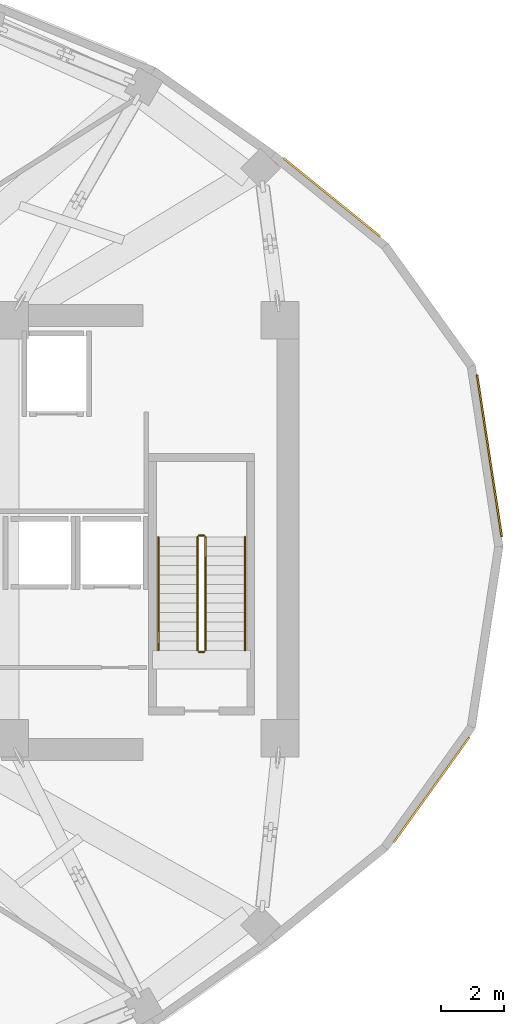
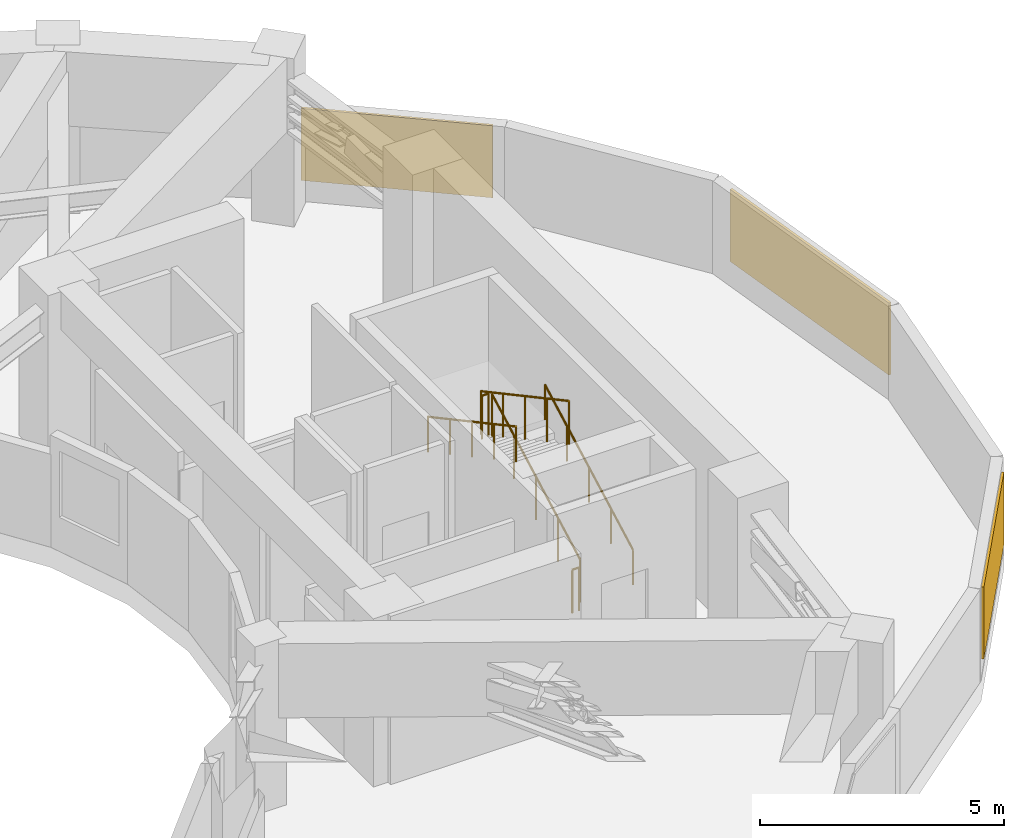
# One storey, part 9 of 10: 6 railings, 3 shading devices.
"""IFC4 building model written with IfcOpenShell, lengths in metres."""

from ifc_helpers import new_model, si_unit, direction, frame, origin, origin_2d, place, context, subcontext, project, spatial, rectangle, circle, extrude, material, layer, layer_set, type_object, element, save


model = new_model("IFC4")

# Units and contexts
model_context = context("Model", 3, precision=1e-05, world=origin(), true_north=direction((0.0, 1.0)))
body_context = subcontext(model_context, "Body", "Model", "MODEL_VIEW")
ifc_project = project(units=[si_unit("LENGTHUNIT", "METRE"), si_unit("AREAUNIT", "SQUARE_METRE"), si_unit("VOLUMEUNIT", "CUBIC_METRE"), si_unit("PLANEANGLEUNIT", "RADIAN"), si_unit("MASSUNIT", "GRAM", prefix="KILO")], contexts=[model_context])

# Site, building, storey
site_placement = place(None, origin())
site = spatial("IfcSite", under=ifc_project, at=site_placement, CompositionType="ELEMENT")
building_placement = place(site_placement, origin())
building = spatial("IfcBuilding", under=site, at=building_placement, Name="Solvane Sanctuary Tower", CompositionType="ELEMENT")
storey_placement = place(building_placement, frame((0.0, 0.0, 129.0)))
storey = spatial("IfcBuildingStorey", under=building, at=storey_placement, Name="L39", CompositionType="ELEMENT", Elevation=129.0)

# Railings
ifc_material_1 = material(Name="Architectural Stainless Steel 316", Category="steel")
railing_type_1 = type_object("IfcRailingType", Name="Railing GR-BALC-1150", PredefinedType="BALUSTRADE", material=ifc_material_1)
railing_1_placement = place(storey_placement, frame((46.340087890625, 19.699951171875, 0.16162109375)))
element("IfcRailing", 1, at=railing_1_placement, inside=storey, type_object=railing_type_1, Name="L39 ST-2 stair guard 1", PredefinedType="BALUSTRADE", context=body_context, shape_type="SweptSolid", body=[
    extrude(circle(Radius=0.02392578125, at=origin_2d()), frame((0.0, 0.0, 1.076171875), z_axis=(0.0, 0.880474934443, 0.474092701714), x_axis=(-1.0, 0.0, 0.0)), (0.0, 0.0, 1.0), 4.0888671875),
    extrude(circle(Radius=0.02099609375, at=origin_2d()), origin(), (0.0, 0.0, 1.0), 1.052001953125),
    extrude(circle(Radius=0.02099609375, at=origin_2d()), frame((0.0, 0.89990234375, 0.484619140625)), (0.0, 0.0, 1.0), 1.052001953125),
    extrude(circle(Radius=0.02099609375, at=origin_2d()), frame((0.0, 1.800048828125, 0.96923828125)), (0.0, 0.0, 1.0), 1.052001953125),
    extrude(circle(Radius=0.02099609375, at=origin_2d()), frame((0.0, 2.7001953125, 1.453857421875)), (0.0, 0.0, 1.0), 1.052001953125),
    extrude(circle(Radius=0.02099609375, at=origin_2d()), frame((0.0, 3.60009765625, 1.9384765625)), (0.0, 0.0, 1.0), 1.052001953125),
])
railing_2_placement = place(storey_placement, frame((46.2900390625, 23.35009765625, 2.10009765625)))
element("IfcRailing", 2, at=railing_2_placement, inside=storey, type_object=railing_type_1, Name="L39 ST-2 stair guard 2", PredefinedType="BALUSTRADE", context=body_context, shape_type="SweptSolid", body=[
    extrude(circle(Radius=0.02392578125, at=origin_2d()), frame((0.0, 0.0, 1.076171875), z_axis=(-1.0, 0.0, 0.0), x_axis=(0.0, -1.0, 0.0)), (0.0, 0.0, 1.0), 0.16015625),
    extrude(circle(Radius=0.02099609375, at=origin_2d()), origin(), (0.0, 0.0, 1.0), 1.052001953125),
    extrude(circle(Radius=0.02099609375, at=origin_2d()), frame((-0.16015625, 0.0, 0.0)), (0.0, 0.0, 1.0), 1.052001953125),
])
railing_3_placement = place(storey_placement, frame((46.080078125, 23.300048828125, 2.261474609375)))
element("IfcRailing", 3, at=railing_3_placement, inside=storey, type_object=railing_type_1, Name="L39 ST-2 stair guard 3", PredefinedType="BALUSTRADE", context=body_context, shape_type="SweptSolid", body=[
    extrude(circle(Radius=0.02392578125, at=origin_2d()), frame((0.0, 0.0, 1.076171875), z_axis=(0.0, -0.880474934443, 0.474092701714), x_axis=(1.0, 0.0, 0.0)), (0.0, 0.0, 1.0), 4.0888671875),
    extrude(circle(Radius=0.02099609375, at=origin_2d()), origin(), (0.0, 0.0, 1.0), 1.052001953125),
    extrude(circle(Radius=0.02099609375, at=origin_2d()), frame((0.0, -0.89990234375, 0.484619140625)), (0.0, 0.0, 1.0), 1.052001953125),
    extrude(circle(Radius=0.02099609375, at=origin_2d()), frame((0.0, -1.800048828125, 0.96923828125)), (0.0, 0.0, 1.0), 1.052001953125),
    extrude(circle(Radius=0.02099609375, at=origin_2d()), frame((0.0, -2.7001953125, 1.453857421875)), (0.0, 0.0, 1.0), 1.052001953125),
    extrude(circle(Radius=0.02099609375, at=origin_2d()), frame((0.0, -3.60009765625, 1.9384765625)), (0.0, 0.0, 1.0), 1.052001953125),
])
railing_4_placement = place(storey_placement, frame((46.2900390625, 19.64990234375, 0.0)))
element("IfcRailing", 4, at=railing_4_placement, inside=storey, type_object=railing_type_1, Name="L39 ST-2 stair guard 4", PredefinedType="BALUSTRADE", context=body_context, shape_type="SweptSolid", body=[
    extrude(circle(Radius=0.02392578125, at=origin_2d()), frame((0.0, 0.0, 1.076171875), z_axis=(-1.0, 0.0, 0.0), x_axis=(0.0, -1.0, 0.0)), (0.0, 0.0, 1.0), 0.16015625),
    extrude(circle(Radius=0.02099609375, at=origin_2d()), origin(), (0.0, 0.0, 1.0), 1.052001953125),
    extrude(circle(Radius=0.02099609375, at=origin_2d()), frame((-0.16015625, 0.0, 0.0)), (0.0, 0.0, 1.0), 1.052001953125),
])
railing_type_2 = type_object("IfcRailingType", Name="Railing HR-STAIR-920", PredefinedType="HANDRAIL", material=ifc_material_1)
railing_5_placement = place(storey_placement, frame((47.590087890625, 19.699951171875, 0.16162109375)))
element("IfcRailing", 5, at=railing_5_placement, inside=storey, type_object=railing_type_2, Name="L39 ST-2 stair handrail 1", PredefinedType="HANDRAIL", context=body_context, shape_type="SweptSolid", body=[
    extrude(circle(Radius=0.02392578125, at=origin_2d()), frame((0.0, 0.0, 0.8759765625), z_axis=(0.0, 0.880474934443, 0.474092701714), x_axis=(-1.0, 0.0, 0.0)), (0.0, 0.0, 1.0), 4.0888671875),
    extrude(circle(Radius=0.02099609375, at=origin_2d()), origin(), (0.0, 0.0, 1.0), 0.851806640625),
    extrude(circle(Radius=0.02099609375, at=origin_2d()), frame((0.0, 0.89990234375, 0.484619140625)), (0.0, 0.0, 1.0), 0.851806640625),
    extrude(circle(Radius=0.02099609375, at=origin_2d()), frame((0.0, 1.800048828125, 0.96923828125)), (0.0, 0.0, 1.0), 0.851806640625),
    extrude(circle(Radius=0.02099609375, at=origin_2d()), frame((0.0, 2.7001953125, 1.453857421875)), (0.0, 0.0, 1.0), 0.851806640625),
    extrude(circle(Radius=0.02099609375, at=origin_2d()), frame((0.0, 3.60009765625, 1.9384765625)), (0.0, 0.0, 1.0), 0.851806640625),
])
railing_6_placement = place(storey_placement, frame((44.830078125, 23.300048828125, 2.261474609375)))
element("IfcRailing", 6, at=railing_6_placement, inside=storey, type_object=railing_type_2, Name="L39 ST-2 stair handrail 2", PredefinedType="HANDRAIL", context=body_context, shape_type="SweptSolid", body=[
    extrude(circle(Radius=0.02392578125, at=origin_2d()), frame((0.0, 0.0, 0.8759765625), z_axis=(0.0, -0.880474934443, 0.474092701714), x_axis=(1.0, 0.0, 0.0)), (0.0, 0.0, 1.0), 4.0888671875),
    extrude(circle(Radius=0.02099609375, at=origin_2d()), origin(), (0.0, 0.0, 1.0), 0.851806640625),
    extrude(circle(Radius=0.02099609375, at=origin_2d()), frame((0.0, -0.89990234375, 0.484619140625)), (0.0, 0.0, 1.0), 0.851806640625),
    extrude(circle(Radius=0.02099609375, at=origin_2d()), frame((0.0, -1.800048828125, 0.96923828125)), (0.0, 0.0, 1.0), 0.851806640625),
    extrude(circle(Radius=0.02099609375, at=origin_2d()), frame((0.0, -2.7001953125, 1.453857421875)), (0.0, 0.0, 1.0), 0.851806640625),
    extrude(circle(Radius=0.02099609375, at=origin_2d()), frame((0.0, -3.60009765625, 1.9384765625)), (0.0, 0.0, 1.0), 0.851806640625),
])

# Shading devices
ifc_material_2 = material(Name="Anodised Aluminium 6063-T6", Category="aluminium")
ifc_layer = layer(ifc_material_2, 0.06005859375, Name="Anodised Aluminium 6063-T6")
ifc_layer_set = layer_set([ifc_layer], Name="Anodised Aluminium 6063-T6")
shading_device_type = type_object("IfcShadingDeviceType", Name="Shading SHD-LOUVRE", PredefinedType="JALOUSIE", material=ifc_layer_set)
shading_device_1_placement = place(storey_placement, frame((55.361083984375, 25.89111328125, 0.35009765625), z_axis=(0.0, 0.0, 1.0), x_axis=(-0.150686287383, 0.988581631832, 0.0)))
element("IfcShadingDevice", 7, at=shading_device_1_placement, inside=storey, type_object=shading_device_type, Name="L39 Plant Intake Louvre 00", PredefinedType="JALOUSIE", context=body_context, shape_type="SweptSolid", body=[
    extrude(rectangle(XDim=5.2060546875, YDim=0.06005859375, at=origin_2d()), origin(), (0.0, 0.0, 1.0), 1.800048828125),
])
shading_device_2_placement = place(storey_placement, frame((50.3466796875, 34.114501953125, 0.35009765625), z_axis=(0.0, 0.0, 1.0), x_axis=(-0.776970191752, 0.629537386602, 0.0)))
element("IfcShadingDevice", 8, at=shading_device_2_placement, inside=storey, type_object=shading_device_type, Name="L39 Plant Intake Louvre 02", PredefinedType="JALOUSIE", context=body_context, shape_type="SweptSolid", body=[
    extrude(rectangle(XDim=3.967529296875, YDim=0.06005859375, at=origin_2d()), origin(), (0.0, 0.0, 1.0), 1.800048828125),
])
shading_device_3_placement = place(storey_placement, frame((53.522705078125, 15.264404296875, 0.35009765625), z_axis=(0.0, 0.0, 1.0), x_axis=(0.583712698071, 0.811960273727, 0.0)))
element("IfcShadingDevice", 9, at=shading_device_3_placement, inside=storey, type_object=shading_device_type, Name="L39 Plant Intake Louvre 22", PredefinedType="JALOUSIE", context=body_context, shape_type="SweptSolid", body=[
    extrude(rectangle(XDim=4.114501953125, YDim=0.06005859375, at=origin_2d()), origin(), (0.0, 0.0, 1.0), 1.800048828125),
])

save(model, "model.ifc")
